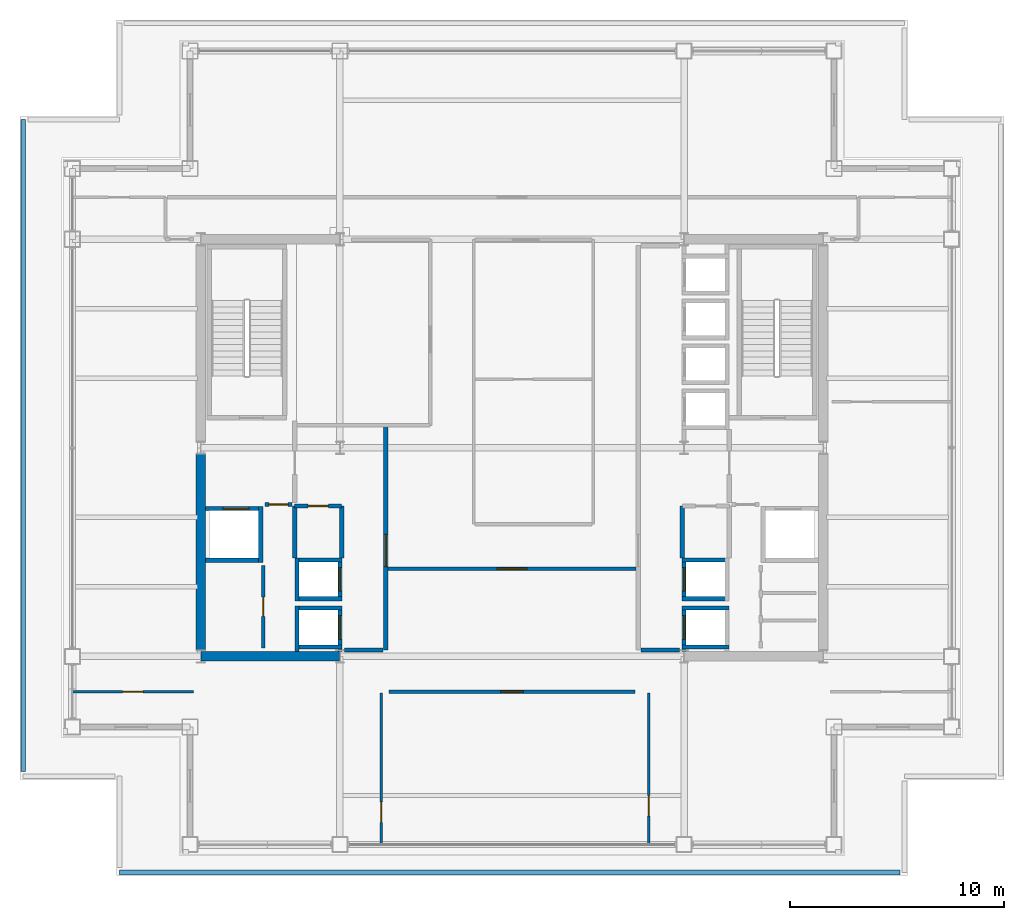
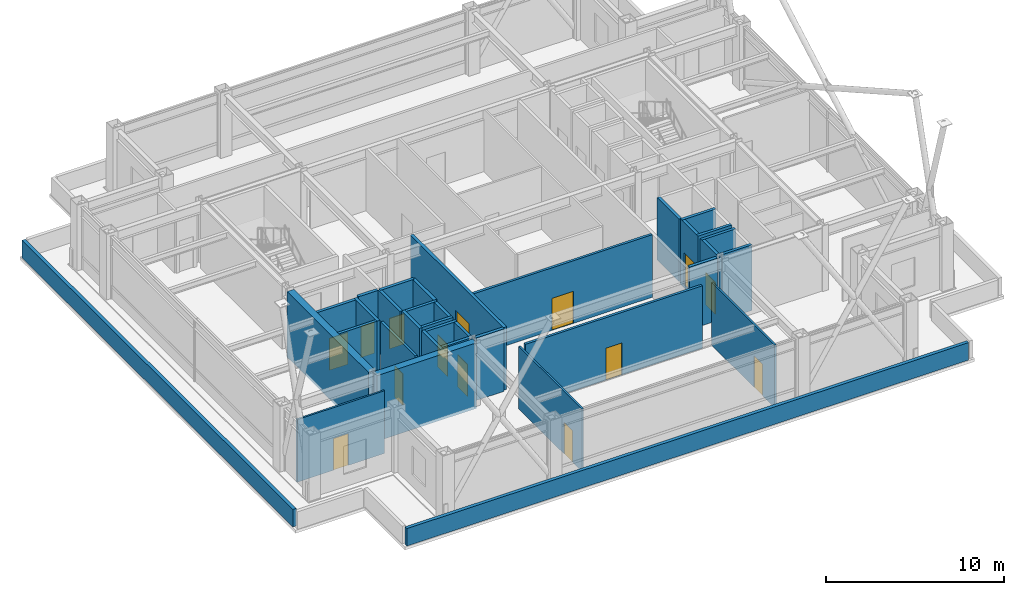
# One storey, part 20 of 24: 35 walls, 14 doors, 14 openings.
"""IFC4 building model written with IfcOpenShell, lengths in metres."""

import ifcopenshell
import ifcopenshell.guid

model = None  # the IFC model being written
_history = None  # IfcOwnerHistory: only IFC2X3 demands one
_inside = {}  # id of a spatial element -> (the spatial element, [elements in it])
_under = {}  # id of a project, library or spatial element -> (it, [spatial elements below it])
_declared = {}  # id of a project -> (the project, [libraries it declares])
_typed = {}  # id of a type object -> (the type object, [elements of that type])
_made_of = {}  # id of a material, layer set ... -> (it, [elements and type objects made of it])


def new_model(schema):
    """Start an empty IFC model of exactly this schema.

    Asked for "IFC4X3", IfcOpenShell would pick the latest addendum, in which some entities
    have other attributes; the version numbers below select the first issue.
    IFC2X3 requires an IfcOwnerHistory on every rooted entity: one is made here for all.
    """
    global model, _history
    if schema == "IFC4X3":
        model = ifcopenshell.file(schema_version=(4, 3, 0, 0))
    else:
        model = ifcopenshell.file(schema=schema)
    _inside.clear()
    _under.clear()
    _declared.clear()
    _typed.clear()
    _made_of.clear()
    _history = None
    if model.schema == "IFC2X3":
        org = make("IfcOrganization", Name="unknown")
        user = make(
            "IfcPersonAndOrganization",
            ThePerson=make("IfcPerson", FamilyName="unknown"),
            TheOrganization=org,
        )
        app = make(
            "IfcApplication",
            ApplicationDeveloper=org,
            Version="unknown",
            ApplicationFullName="unknown",
            ApplicationIdentifier="unknown",
        )
        _history = make(
            "IfcOwnerHistory",
            OwningUser=user,
            OwningApplication=app,
            ChangeAction="ADDED",
            CreationDate=0,
        )
    return model


def make(cls, **values):
    """One entity of the class cls with the attributes given. An attribute that is None is left unset."""
    return model.create_entity(
        cls, **{name: value for name, value in values.items() if value is not None}
    )


def rooted(cls, **values):
    """An entity with a GlobalId (a new one), such as an element, a storey or a relation."""
    return make(cls, GlobalId=ifcopenshell.guid.new(), OwnerHistory=_history, **values)


def si_unit(unit_type, name, prefix=None):
    """IfcSIUnit, for example si_unit("LENGTHUNIT", "METRE", prefix="MILLI")."""
    return make("IfcSIUnit", UnitType=unit_type, Prefix=prefix, Name=name)


def assignment(units):
    """IfcUnitAssignment: the units of a project."""
    return None if units is None else make("IfcUnitAssignment", Units=units)


def point(xyz):
    """IfcCartesianPoint."""
    return None if xyz is None else make("IfcCartesianPoint", Coordinates=xyz)


def direction(xyz):
    """IfcDirection."""
    return None if xyz is None else make("IfcDirection", DirectionRatios=xyz)


def frame(location, z_axis=None, x_axis=None):
    """IfcAxis2Placement3D, a coordinate frame: its origin and axes. An axis left out is left unset."""
    return make(
        "IfcAxis2Placement3D",
        Location=point(location),
        Axis=direction(z_axis),
        RefDirection=direction(x_axis),
    )


def frame_2d(location, x_axis=None):
    """IfcAxis2Placement2D, a coordinate frame in the plane: its origin and x axis."""
    return make(
        "IfcAxis2Placement2D", Location=point(location), RefDirection=direction(x_axis)
    )


def origin():
    """The frame at (0, 0, 0) with its axes left unset."""
    return frame((0.0, 0.0, 0.0))


def place(relative_to, where):
    """IfcLocalPlacement: puts the frame where relative to a parent placement (None: the world)."""
    return make(
        "IfcLocalPlacement", PlacementRelTo=relative_to, RelativePlacement=where
    )


def context(
    kind, dimensions, precision=None, world=None, true_north=None, identifier=None
):
    """IfcGeometricRepresentationContext, for example the 3D "Model" context."""
    return make(
        "IfcGeometricRepresentationContext",
        ContextIdentifier=identifier,
        ContextType=kind,
        CoordinateSpaceDimension=dimensions,
        Precision=precision,
        WorldCoordinateSystem=world,
        TrueNorth=true_north,
    )


def subcontext(parent, identifier, kind, view, scale=None):
    """IfcGeometricRepresentationSubContext, for example "Body" below "Model"."""
    return make(
        "IfcGeometricRepresentationSubContext",
        ContextIdentifier=identifier,
        ContextType=kind,
        ParentContext=parent,
        TargetScale=scale,
        TargetView=view,
    )


def project(units=None, contexts=None):
    """IfcProject with its units and contexts."""
    return rooted(
        "IfcProject",
        Name="project",
        RepresentationContexts=contexts,
        UnitsInContext=assignment(units),
    )


def spatial(cls, under=None, at=None, **own):
    """A site, building, storey or space (cls), placed at a placement, below another one or the project."""
    s = rooted(cls, ObjectPlacement=at, **own)
    if under is not None:
        _under.setdefault(under.id(), (under, []))[1].append(s)
    return s


def profile(cls, at=None, kind="AREA", **sizes):
    """A parametric profile (cls). Its sizes go by their IFC names, for example OverallWidth=200.0."""
    return make(cls, ProfileType=kind, Position=at, **sizes)


def rectangle(**sizes):
    """IfcRectangleProfileDef."""
    return profile("IfcRectangleProfileDef", **sizes)


def extrude(swept, where, along, depth):
    """IfcExtrudedAreaSolid: the profile swept, set in the frame where, extruded along a direction by depth."""
    return make(
        "IfcExtrudedAreaSolid",
        SweptArea=swept,
        Position=where,
        ExtrudedDirection=direction(along),
        Depth=depth,
    )


def shape(context_of_items, identifier, shape_type, items):
    """IfcShapeRepresentation: the items that make up one representation, for example the "Body"."""
    return make(
        "IfcShapeRepresentation",
        ContextOfItems=context_of_items,
        RepresentationIdentifier=identifier,
        RepresentationType=shape_type,
        Items=items,
    )


def material(Name=None, Category=None):
    """IfcMaterial."""
    return make("IfcMaterial", Name=Name, Category=Category)


def layer(
    of_material, thickness, ventilated=None, Name=None, Category=None, Priority=None
):
    """IfcMaterialLayer: one layer of a wall or slab, of a material (None: an air gap)."""
    return make(
        "IfcMaterialLayer",
        Material=of_material,
        LayerThickness=thickness,
        IsVentilated=ventilated,
        Name=Name,
        Category=Category,
        Priority=Priority,
    )


def layer_set(layers, Name=None):
    """IfcMaterialLayerSet."""
    return make("IfcMaterialLayerSet", MaterialLayers=layers, LayerSetName=Name)


def made_of(thing, what):
    """Note that an element or type object is made of a material, layer set ...; save() writes the relation."""
    if what is not None:
        _made_of.setdefault(what.id(), (what, []))[1].append(thing)
    return thing


def type_object(cls, material=None, **own):
    """A type object (cls), such as IfcWallType, which elements share."""
    return made_of(rooted(cls, **own), material)


def element(
    cls,
    number,
    at=None,
    inside=None,
    cuts=None,
    type_object=None,
    material=None,
    context=None,
    identifier="Body",
    shape_type=None,
    held_by="IfcProductDefinitionShape",
    body=None,
    shapes=None,
    **own,
):
    """One element of the class cls, such as IfcWall. Its Tag is "e" and its number.

    at: its placement. inside: the storey or other place that contains it. cuts: it is an
    opening in that element (IfcRelVoidsElement). A single representation is given by context,
    identifier, shape_type and body (its items); several are given by shapes. held_by: the class
    of the entity that holds the representations. save() writes the other relations.
    """
    e = rooted(cls, Tag="e%d" % number, ObjectPlacement=at, **own)
    if body is not None:
        shapes = [shape(context, identifier, shape_type, body)]
    if shapes is not None:
        e.Representation = make(held_by, Representations=shapes)
    if inside is not None:
        _inside.setdefault(inside.id(), (inside, []))[1].append(e)
    if cuts is not None:
        rooted(
            "IfcRelVoidsElement", RelatingBuildingElement=cuts, RelatedOpeningElement=e
        )
    if type_object is not None:
        _typed.setdefault(type_object.id(), (type_object, []))[1].append(e)
    return made_of(e, material)


def fill(opening, filler):
    """IfcRelFillsElement: the door or window that sits in an opening."""
    return rooted(
        "IfcRelFillsElement",
        RelatingOpeningElement=opening,
        RelatedBuildingElement=filler,
    )


def aggregate(whole, parts):
    """IfcRelAggregates: a whole, such as a stair, and the parts it consists of."""
    return rooted("IfcRelAggregates", RelatingObject=whole, RelatedObjects=parts)


def save(model, path):
    """Write the relations noted so far, then the file.

    IfcRelAggregates (storeys below a building ...), IfcRelContainedInSpatialStructure (elements
    in a storey), IfcRelDefinesByType, IfcRelAssociatesMaterial and IfcRelDeclares: one each for
    every whole, place, type object, material and project.
    """
    for whole, parts in _under.values():
        aggregate(whole, parts)
    for where, things in _inside.values():
        rooted(
            "IfcRelContainedInSpatialStructure",
            RelatedElements=things,
            RelatingStructure=where,
        )
    for kind, things in _typed.values():
        rooted("IfcRelDefinesByType", RelatedObjects=things, RelatingType=kind)
    for what, things in _made_of.values():
        rooted("IfcRelAssociatesMaterial", RelatedObjects=things, RelatingMaterial=what)
    for by, libraries in _declared.values():
        rooted("IfcRelDeclares", RelatingContext=by, RelatedDefinitions=libraries)
    model.write(path)


model = new_model("IFC4")

# Units and contexts
model_context = context("Model", 3, precision=1e-05, world=origin(), true_north=direction((0.0, 1.0)))
body_context = subcontext(model_context, "Body", "Model", "MODEL_VIEW")
ifc_project = project(units=[si_unit("LENGTHUNIT", "METRE"), si_unit("AREAUNIT", "SQUARE_METRE"), si_unit("VOLUMEUNIT", "CUBIC_METRE"), si_unit("PLANEANGLEUNIT", "RADIAN"), si_unit("MASSUNIT", "GRAM", prefix="KILO")], contexts=[model_context])

# Site, building, storey
site_placement = place(None, origin())
site = spatial("IfcSite", under=ifc_project, at=site_placement, CompositionType="ELEMENT")
building_placement = place(site_placement, origin())
building = spatial("IfcBuilding", under=site, at=building_placement, Name="Brelmoor Portico Tower", CompositionType="ELEMENT")
storey_placement = place(building_placement, frame((0.0, 0.0, 150.60009765625)))
storey = spatial("IfcBuildingStorey", under=building, at=storey_placement, Name="L39", CompositionType="ELEMENT", Elevation=150.60009765625)

# Walls
ifc_material_1 = material(Name="Concrete C50", Category="concrete")
ifc_layer_1 = layer(ifc_material_1, 0.449951171875)
ifc_layer_set_1 = layer_set([ifc_layer_1], Name="Concrete C50")
wall_type_1 = type_object("IfcWallType", Name="WL-CORE-450", PredefinedType="SHEAR", material=ifc_layer_set_1)
wall_1_placement = place(storey_placement, frame((-14.530029296875, -9.75, -0.2001953125), z_axis=(0.0, 0.0, 1.0), x_axis=(1.0, 0.0, 0.0)))
element("IfcWall", 1, at=wall_1_placement, inside=storey, type_object=wall_type_1, Name="L39 WC South Shear Wall", PredefinedType="SHEAR", context=body_context, shape_type="SweptSolid", body=[
    extrude(rectangle(XDim=6.4599609375, YDim=0.449951171875, at=frame_2d((3.22998046875, 0.0))), origin(), (0.0, 0.0, 1.0), 4.5),
])
wall_2_placement = place(storey_placement, frame((-14.550048828125, -9.449951171875, -0.2001953125), z_axis=(0.0, 0.0, 1.0), x_axis=(0.0, 1.0, 0.0)))
element("IfcWall", 2, at=wall_2_placement, inside=storey, type_object=wall_type_1, Name="L39 WC Outer South Shear Wall", PredefinedType="SHEAR", context=body_context, shape_type="SweptSolid", body=[
    extrude(rectangle(XDim=9.14990234375, YDim=0.449951171875, at=frame_2d((4.574951171875, 0.0))), origin(), (0.0, 0.0, 1.0), 4.5),
])
ifc_material_2 = material(Name="Concrete C40 Parapet Upstand", Category="concrete")
ifc_layer_2 = layer(ifc_material_2, 0.219970703125)
ifc_layer_set_2 = layer_set([ifc_layer_2], Name="Concrete C40 Parapet Upstand")
wall_type_2 = type_object("IfcWallType", Name="WL-PARAPET-220", PredefinedType="PARAPET", material=ifc_layer_set_2)
wall_3_placement = place(storey_placement, frame((-18.35009765625, -19.85009765625, 0.0), z_axis=(0.0, 0.0, 1.0), x_axis=(1.0, 0.0, 0.0)))
element("IfcWall", 3, at=wall_3_placement, inside=storey, type_object=wall_type_2, Name="L39 Roof Parapet Wall 01", PredefinedType="PARAPET", context=body_context, shape_type="SweptSolid", body=[
    extrude(rectangle(XDim=36.47998046875, YDim=0.219970703125, at=frame_2d((18.239990234375, 0.0))), origin(), (0.0, 0.0, 1.0), 1.199951171875),
])
wall_4_placement = place(storey_placement, frame((-22.85009765625, 15.35009765625, 0.0), z_axis=(0.0, 0.0, 1.0), x_axis=(0.0, -1.0, 0.0)))
element("IfcWall", 4, at=wall_4_placement, inside=storey, type_object=wall_type_2, Name="L39 Roof Parapet Wall 10", PredefinedType="PARAPET", context=body_context, shape_type="SweptSolid", body=[
    extrude(rectangle(XDim=30.47998046875, YDim=0.219970703125, at=frame_2d((15.239990234375, 0.0))), origin(), (0.0, 0.0, 1.0), 1.199951171875),
])

# Wall, opening, door
ifc_material_3 = material(Name="Lightweight Gypsum Office Partition", Category="gypsum")
ifc_layer_3 = layer(ifc_material_3, 0.1201171875)
ifc_layer_set_3 = layer_set([ifc_layer_3], Name="Lightweight Gypsum Office Partition")
wall_type_3 = type_object("IfcWallType", Name="WL-PART-120", PredefinedType="PARTITIONING", material=ifc_layer_set_3)
wall_5_placement = place(storey_placement, frame((-6.120361328125, -18.56005859375, 0.0), z_axis=(0.0, 0.0, 1.0), x_axis=(0.0, 1.0, 0.0)))
wall_5 = element("IfcWall", 5, at=wall_5_placement, inside=storey, type_object=wall_type_3, Name="L39 South Suite Partition 1", PredefinedType="PARTITIONING", context=body_context, shape_type="SweptSolid", body=[
    extrude(rectangle(XDim=7.10009765625, YDim=0.1201171875, at=frame_2d((3.550048828125, 0.0))), origin(), (0.0, 0.0, 1.0), 4.2998046875),
])
opening_1_placement = place(wall_5_placement, frame((1.050048828125, 0.0, 0.0)))
opening_1 = element("IfcOpeningElement", 6, at=opening_1_placement, cuts=wall_5, Name="Opening D-IN2", PredefinedType="OPENING", context=body_context, shape_type="SweptSolid", body=[
    extrude(rectangle(XDim=0.9599609375, YDim=2.179931640625, at=frame_2d((0.47998046875, 1.08984375))), frame((0.0, 0.070068359375, 0.0), z_axis=(0.0, -1.0, 0.0), x_axis=(1.0, 0.0, 0.0)), (0.0, 0.0, 1.0), 0.14013671875),
])
ifc_material_4 = material(Name="Lacquered Timber Suite Door", Category="wood")
door_type_1 = type_object("IfcDoorType", Name="DR-INT-950", OperationType="NOTDEFINED", PredefinedType="DOOR", material=ifc_material_4)
door_1_placement = place(opening_1_placement, origin())
door_1 = element("IfcDoor", 7, at=door_1_placement, inside=storey, type_object=door_type_1, Name="D-1689 L39 South Suite Connecting Door 1", OperationType="SINGLE_SWING_LEFT", OverallHeight=2.179931640625, OverallWidth=0.9599609375, PredefinedType="DOOR", context=body_context, shape_type="SweptSolid", body=[
    extrude(rectangle(XDim=0.9599609375, YDim=2.179931640625, at=frame_2d((0.47998046875, 1.08984375))), frame((0.0, 0.02490234375, 0.0), z_axis=(0.0, -1.0, 0.0), x_axis=(1.0, 0.0, 0.0)), (0.0, 0.0, 1.0), 0.050048828125),
])
fill(opening_1, door_1)

wall_6_placement = place(storey_placement, frame((6.398681640625, -18.56005859375, 0.0), z_axis=(0.0, 0.0, 1.0), x_axis=(0.0, 1.0, 0.0)))
wall_6 = element("IfcWall", 8, at=wall_6_placement, inside=storey, type_object=wall_type_3, Name="L39 South Suite Partition 2", PredefinedType="PARTITIONING", context=body_context, shape_type="SweptSolid", body=[
    extrude(rectangle(XDim=7.10009765625, YDim=0.1201171875, at=frame_2d((3.550048828125, 0.0))), origin(), (0.0, 0.0, 1.0), 4.2998046875),
])
opening_2_placement = place(wall_6_placement, frame((1.340087890625, 0.0, 0.0)))
opening_2 = element("IfcOpeningElement", 9, at=opening_2_placement, cuts=wall_6, Name="Opening D-IN2", PredefinedType="OPENING", context=body_context, shape_type="SweptSolid", body=[
    extrude(rectangle(XDim=0.9599609375, YDim=2.179931640625, at=frame_2d((0.47998046875, 1.08984375))), frame((0.0, 0.070068359375, 0.0), z_axis=(0.0, -1.0, 0.0), x_axis=(1.0, 0.0, 0.0)), (0.0, 0.0, 1.0), 0.14013671875),
])
door_2_placement = place(opening_2_placement, origin())
door_2 = element("IfcDoor", 10, at=door_2_placement, inside=storey, type_object=door_type_1, Name="D-1690 L39 South Suite Connecting Door 2", OperationType="SINGLE_SWING_RIGHT", OverallHeight=2.179931640625, OverallWidth=0.9599609375, PredefinedType="DOOR", context=body_context, shape_type="SweptSolid", body=[
    extrude(rectangle(XDim=0.9599609375, YDim=2.179931640625, at=frame_2d((0.47998046875, 1.08984375))), frame((0.0, 0.02490234375, 0.0), z_axis=(0.0, -1.0, 0.0), x_axis=(1.0, 0.0, 0.0)), (0.0, 0.0, 1.0), 0.050048828125),
])
fill(opening_2, door_2)

wall_7_placement = place(storey_placement, frame((-20.56005859375, -11.39990234375, 0.0), z_axis=(0.0, 0.0, 1.0), x_axis=(1.0, 0.0, 0.0)))
wall_7 = element("IfcWall", 11, at=wall_7_placement, inside=storey, type_object=wall_type_3, Name="L39 South Wing Closure WL", PredefinedType="PARTITIONING", context=body_context, shape_type="SweptSolid", body=[
    extrude(rectangle(XDim=5.68017578125, YDim=0.1201171875, at=frame_2d((2.840087890625, 0.0))), origin(), (0.0, 0.0, 1.0), 4.2998046875),
])
opening_3_placement = place(wall_7_placement, frame((2.360107421875, 0.0, 0.0)))
opening_3 = element("IfcOpeningElement", 12, at=opening_3_placement, cuts=wall_7, Name="Opening D-IN2", PredefinedType="OPENING", context=body_context, shape_type="SweptSolid", body=[
    extrude(rectangle(XDim=0.9599609375, YDim=2.179931640625, at=frame_2d((0.47998046875, 1.08984375))), frame((0.0, 0.070068359375, 0.0), z_axis=(0.0, -1.0, 0.0), x_axis=(1.0, 0.0, 0.0)), (0.0, 0.0, 1.0), 0.14013671875),
])
door_3_placement = place(opening_3_placement, origin())
door_3 = element("IfcDoor", 13, at=door_3_placement, inside=storey, type_object=door_type_1, Name="D-1694 L39 WL Wing South Suite Door", OperationType="SINGLE_SWING_RIGHT", OverallHeight=2.179931640625, OverallWidth=0.9599609375, PredefinedType="DOOR", context=body_context, shape_type="SweptSolid", body=[
    extrude(rectangle(XDim=0.9599609375, YDim=2.179931640625, at=frame_2d((0.47998046875, 1.08984375))), frame((0.0, 0.02490234375, 0.0), z_axis=(0.0, -1.0, 0.0), x_axis=(1.0, 0.0, 0.0)), (0.0, 0.0, 1.0), 0.050048828125),
])
fill(opening_3, door_3)

ifc_material_5 = material(Name="Twin-Frame Acoustic Partition", Category="gypsum")
ifc_layer_4 = layer(ifc_material_5, 0.159912109375)
ifc_layer_set_4 = layer_set([ifc_layer_4], Name="Twin-Frame Acoustic Partition")
wall_type_4 = type_object("IfcWallType", Name="WL-PART-160", PredefinedType="PARTITIONING", material=ifc_layer_set_4)
wall_8_placement = place(storey_placement, frame((-11.6201171875, -9.35009765625, 0.0), z_axis=(0.0, 0.0, 1.0), x_axis=(0.0, 1.0, 0.0)))
wall_8 = element("IfcWall", 14, at=wall_8_placement, inside=storey, type_object=wall_type_4, Name="L39 W Core Service Front Wall", PredefinedType="PARTITIONING", context=body_context, shape_type="SweptSolid", body=[
    extrude(rectangle(XDim=3.85009765625, YDim=0.159912109375, at=frame_2d((1.925048828125, 0.0))), origin(), (0.0, 0.0, 1.0), 4.2998046875),
])
opening_4_placement = place(wall_8_placement, frame((1.47509765625, 0.0, 0.0)))
opening_4 = element("IfcOpeningElement", 15, at=opening_4_placement, cuts=wall_8, Name="Opening D-IN1", PredefinedType="OPENING", context=body_context, shape_type="SweptSolid", body=[
    extrude(rectangle(XDim=0.89990234375, YDim=2.14990234375, at=frame_2d((0.449951171875, 1.074951171875))), frame((0.0, 0.08984375, 0.0), z_axis=(0.0, -1.0, 0.0), x_axis=(1.0, 0.0, 0.0)), (0.0, 0.0, 1.0), 0.179931640625),
])
door_type_2 = type_object("IfcDoorType", Name="DR-INT-900", OperationType="NOTDEFINED", PredefinedType="DOOR", material=ifc_material_4)
door_4_placement = place(opening_4_placement, origin())
door_4 = element("IfcDoor", 16, at=door_4_placement, inside=storey, type_object=door_type_2, Name="D-1677 L39 W Accessible WC Door", OperationType="SINGLE_SWING_LEFT", OverallHeight=2.14990234375, OverallWidth=0.89990234375, PredefinedType="DOOR", context=body_context, shape_type="SweptSolid", body=[
    extrude(rectangle(XDim=0.89990234375, YDim=2.14990234375, at=frame_2d((0.449951171875, 1.074951171875))), frame((0.0, 0.02490234375, 0.0), z_axis=(0.0, -1.0, 0.0), x_axis=(1.0, 0.0, 0.0)), (0.0, 0.0, 1.0), 0.050048828125),
])
fill(opening_4, door_4)

wall_9_placement = place(storey_placement, frame((-5.800048828125, -5.64990234375, 0.0), z_axis=(0.0, 0.0, 1.0), x_axis=(1.0, 0.0, 0.0)))
wall_9 = element("IfcWall", 17, at=wall_9_placement, inside=storey, type_object=wall_type_4, Name="L39 South Hub Corridor Wall", PredefinedType="PARTITIONING", context=body_context, shape_type="SweptSolid", body=[
    extrude(rectangle(XDim=11.60009765625, YDim=0.159912109375, at=frame_2d((5.800048828125, 0.0))), origin(), (0.0, 0.0, 1.0), 4.2998046875),
])
opening_5_placement = place(wall_9_placement, frame((5.10009765625, 0.0, 0.0)))
opening_5 = element("IfcOpeningElement", 18, at=opening_5_placement, cuts=wall_9, Name="Opening D-SU2", PredefinedType="OPENING", context=body_context, shape_type="SweptSolid", body=[
    extrude(rectangle(XDim=1.39990234375, YDim=2.199951171875, at=frame_2d((0.699951171875, 1.10009765625))), frame((0.0, 0.08984375, 0.0), z_axis=(0.0, -1.0, 0.0), x_axis=(1.0, 0.0, 0.0)), (0.0, 0.0, 1.0), 0.179931640625),
])
ifc_material_6 = material(Name="Double-Leaf Acoustic Suite Door", Category="timber")
door_type_3 = type_object("IfcDoorType", Name="DR-SUITE-1400", OperationType="NOTDEFINED", PredefinedType="DOOR", material=ifc_material_6)
door_5_placement = place(opening_5_placement, origin())
door_5 = element("IfcDoor", 19, at=door_5_placement, inside=storey, type_object=door_type_3, Name="D-1669 L39 South Reception Hub Door", OperationType="DOUBLE_DOOR_SINGLE_SWING", OverallHeight=2.199951171875, OverallWidth=1.39990234375, PredefinedType="DOOR", context=body_context, shape_type="SweptSolid", body=[
    extrude(rectangle(XDim=1.39990234375, YDim=2.199951171875, at=frame_2d((0.699951171875, 1.10009765625))), frame((0.0, 0.02490234375, 0.0), z_axis=(0.0, -1.0, 0.0), x_axis=(1.0, 0.0, 0.0)), (0.0, 0.0, 1.0), 0.050048828125),
])
fill(opening_5, door_5)

wall_10_placement = place(storey_placement, frame((-5.75, -11.39990234375, 0.0), z_axis=(0.0, 0.0, 1.0), x_axis=(1.0, 0.0, 0.0)))
wall_10 = element("IfcWall", 20, at=wall_10_placement, inside=storey, type_object=wall_type_4, Name="L39 South Corridor Partition", PredefinedType="PARTITIONING", context=body_context, shape_type="SweptSolid", body=[
    extrude(rectangle(XDim=11.5, YDim=0.159912109375, at=frame_2d((5.75, 0.0))), origin(), (0.0, 0.0, 1.0), 4.2998046875),
])
opening_6_placement = place(wall_10_placement, frame((5.219970703125, 0.0, 0.0)))
opening_6 = element("IfcOpeningElement", 21, at=opening_6_placement, cuts=wall_10, Name="Opening D-OF2", PredefinedType="OPENING", context=body_context, shape_type="SweptSolid", body=[
    extrude(rectangle(XDim=1.06005859375, YDim=2.199951171875, at=frame_2d((0.530029296875, 1.10009765625))), frame((0.0, 0.08984375, 0.0), z_axis=(0.0, -1.0, 0.0), x_axis=(1.0, 0.0, 0.0)), (0.0, 0.0, 1.0), 0.179931640625),
])
ifc_material_7 = material(Name="Hardwood Acoustic Veneer Door", Category="wood")
door_type_4 = type_object("IfcDoorType", Name="DR-OFFICE-1050", OperationType="NOTDEFINED", PredefinedType="DOOR", material=ifc_material_7)
door_6_placement = place(opening_6_placement, origin())
door_6 = element("IfcDoor", 22, at=door_6_placement, inside=storey, type_object=door_type_4, Name="D-1688 L39 South Quiet Study Lounge 2 Door", OperationType="SINGLE_SWING_LEFT", OverallHeight=2.199951171875, OverallWidth=1.06005859375, PredefinedType="DOOR", context=body_context, shape_type="SweptSolid", body=[
    extrude(rectangle(XDim=1.06005859375, YDim=2.199951171875, at=frame_2d((0.530029296875, 1.10009765625))), frame((0.0, 0.02490234375, 0.0), z_axis=(0.0, -1.0, 0.0), x_axis=(1.0, 0.0, 0.0)), (0.0, 0.0, 1.0), 0.050048828125),
])
fill(opening_6, door_6)

ifc_material_8 = material(Name="Double-Stud Gypsum Fire Partition", Category="gypsum")
ifc_layer_5 = layer(ifc_material_8, 0.199951171875)
ifc_layer_set_5 = layer_set([ifc_layer_5], Name="Double-Stud Gypsum Fire Partition")
wall_type_5 = type_object("IfcWallType", Name="WL-PART-200", PredefinedType="PARTITIONING", material=ifc_layer_set_5)
wall_11_placement = place(storey_placement, frame((-5.89990234375, -9.449951171875, 0.0), z_axis=(0.0, 0.0, 1.0), x_axis=(0.0, 1.0, 0.0)))
wall_11 = element("IfcWall", 23, at=wall_11_placement, inside=storey, type_object=wall_type_5, Name="L39 W Core Lobby Compartment Wall", PredefinedType="PARTITIONING", context=body_context, shape_type="SweptSolid", body=[
    extrude(rectangle(XDim=10.5, YDim=0.199951171875, at=frame_2d((5.25, 0.0))), origin(), (0.0, 0.0, 1.0), 4.2998046875),
])
opening_7_placement = place(wall_11_placement, frame((3.89990234375, 0.0, 0.0)))
opening_7 = element("IfcOpeningElement", 24, at=opening_7_placement, cuts=wall_11, Name="Opening D-LB1", PredefinedType="OPENING", context=body_context, shape_type="SweptSolid", body=[
    extrude(rectangle(XDim=1.5, YDim=2.199951171875, at=frame_2d((0.75, 1.10009765625))), frame((0.0, 0.10986328125, 0.0), z_axis=(0.0, -1.0, 0.0), x_axis=(1.0, 0.0, 0.0)), (0.0, 0.0, 1.0), 0.219970703125),
])
ifc_material_9 = material(Name="Double-Leaf Glazed Steel Fire Door", Category="steel")
door_type_5 = type_object("IfcDoorType", Name="DR-LOBBY-1500", OperationType="NOTDEFINED", PredefinedType="DOOR", material=ifc_material_9)
door_7_placement = place(opening_7_placement, origin())
door_7 = element("IfcDoor", 25, at=door_7_placement, inside=storey, type_object=door_type_5, Name="D-1683 L39 W Lift Lobby Main Door", OperationType="DOUBLE_DOOR_SINGLE_SWING", OverallHeight=2.199951171875, OverallWidth=1.5, PredefinedType="DOOR", context=body_context, shape_type="SweptSolid", body=[
    extrude(rectangle(XDim=1.5, YDim=2.199951171875, at=frame_2d((0.75, 1.10009765625))), frame((0.0, 0.02490234375, 0.0), z_axis=(0.0, -1.0, 0.0), x_axis=(1.0, 0.0, 0.0)), (0.0, 0.0, 1.0), 0.050048828125),
])
fill(opening_7, door_7)

# Wall
wall_12_placement = place(storey_placement, frame((-6.02001953125, -9.449951171875, 0.0), z_axis=(0.0, 0.0, 1.0), x_axis=(-1.0, 0.0, 0.0)))
element("IfcWall", 26, at=wall_12_placement, inside=storey, type_object=wall_type_5, Name="L39 W Lift Lobby South End Wall", PredefinedType="PARTITIONING", context=body_context, shape_type="SweptSolid", body=[
    extrude(rectangle(XDim=1.800048828125, YDim=0.199951171875, at=frame_2d((0.89990234375, 0.0))), origin(), (0.0, 0.0, 1.0), 4.2998046875),
])

# Wall, opening, door
wall_13_placement = place(storey_placement, frame((-10.280029296875, -2.64990234375, 0.0), z_axis=(0.0, 0.0, 1.0), x_axis=(-1.0, 0.0, 0.0)))
wall_13 = element("IfcWall", 27, at=wall_13_placement, inside=storey, type_object=wall_type_5, Name="L39 W Firefighting Lobby South Wall", PredefinedType="PARTITIONING", context=body_context, shape_type="SweptSolid", body=[
    extrude(rectangle(XDim=1.27001953125, YDim=0.199951171875, at=frame_2d((0.635009765625, 0.0))), origin(), (0.0, 0.0, 1.0), 4.2998046875),
])
opening_8_placement = place(wall_13_placement, frame((0.18505859375, 0.0, 0.0)))
opening_8 = element("IfcOpeningElement", 28, at=opening_8_placement, cuts=wall_13, Name="Opening D-IN1", PredefinedType="OPENING", context=body_context, shape_type="SweptSolid", body=[
    extrude(rectangle(XDim=0.89990234375, YDim=2.14990234375, at=frame_2d((0.449951171875, 1.074951171875))), frame((0.0, 0.10986328125, 0.0), z_axis=(0.0, -1.0, 0.0), x_axis=(1.0, 0.0, 0.0)), (0.0, 0.0, 1.0), 0.219970703125),
])
door_8_placement = place(opening_8_placement, origin())
door_8 = element("IfcDoor", 29, at=door_8_placement, inside=storey, type_object=door_type_2, Name="D-1676 L39 W Core Service Vestibule Door", OperationType="SINGLE_SWING_LEFT", OverallHeight=2.14990234375, OverallWidth=0.89990234375, PredefinedType="DOOR", context=body_context, shape_type="SweptSolid", body=[
    extrude(rectangle(XDim=0.89990234375, YDim=2.14990234375, at=frame_2d((0.449951171875, 1.074951171875))), frame((0.0, 0.02490234375, 0.0), z_axis=(0.0, -1.0, 0.0), x_axis=(1.0, 0.0, 0.0)), (0.0, 0.0, 1.0), 0.050048828125),
])
fill(opening_8, door_8)

wall_14_placement = place(storey_placement, frame((-7.9599609375, -2.719970703125, 0.0), z_axis=(0.0, 0.0, 1.0), x_axis=(-1.0, 0.0, 0.0)))
wall_14 = element("IfcWall", 30, at=wall_14_placement, inside=storey, type_object=wall_type_5, Name="L39 W Electrical Switchgear Closet Wall", PredefinedType="PARTITIONING", context=body_context, shape_type="SweptSolid", body=[
    extrude(rectangle(XDim=2.199951171875, YDim=0.199951171875, at=frame_2d((1.10009765625, 0.0))), origin(), (0.0, 0.0, 1.0), 4.2998046875),
])
opening_9_placement = place(wall_14_placement, frame((0.6201171875, 0.0, 0.0)))
opening_9 = element("IfcOpeningElement", 31, at=opening_9_placement, cuts=wall_14, Name="Opening D-FR4", PredefinedType="OPENING", context=body_context, shape_type="SweptSolid", body=[
    extrude(rectangle(XDim=0.949951171875, YDim=2.10009765625, at=frame_2d((0.47509765625, 1.050048828125))), frame((0.0, 0.10986328125, 0.0), z_axis=(0.0, -1.0, 0.0), x_axis=(1.0, 0.0, 0.0)), (0.0, 0.0, 1.0), 0.219970703125),
])
ifc_material_10 = material(Name="Painted Galvanised Steel Riser Door", Category="steel")
door_type_6 = type_object("IfcDoorType", Name="DR-FIRE-950", OperationType="NOTDEFINED", PredefinedType="DOOR", material=ifc_material_10)
door_9_placement = place(opening_9_placement, origin())
door_9 = element("IfcDoor", 32, at=door_9_placement, inside=storey, type_object=door_type_6, Name="D-1679 L39 W Electrical Switchgear Closet Door", OperationType="SINGLE_SWING_RIGHT", OverallHeight=2.10009765625, OverallWidth=0.949951171875, PredefinedType="DOOR", context=body_context, shape_type="SweptSolid", body=[
    extrude(rectangle(XDim=0.949951171875, YDim=2.10009765625, at=frame_2d((0.47509765625, 1.050048828125))), frame((0.0, 0.02490234375, 0.0), z_axis=(0.0, -1.0, 0.0), x_axis=(1.0, 0.0, 0.0)), (0.0, 0.0, 1.0), 0.050048828125),
])
fill(opening_9, door_9)

# Walls
for number, where, z_axis, x_axis, name in (
    (33, (-7.9599609375, -5.159912109375, 0.0), (0.0, 0.0, 1.0), (0.0, 1.0, 0.0), "L39 W Electrical Switchgear Closet Inner Wall"),
    (34, (-10.159912109375, -5.159912109375, 0.0), (0.0, 0.0, 1.0), (0.0, 1.0, 0.0), "L39 W Electrical Switchgear Closet Outer Wall"),
):
    element("IfcWall", number, at=place(storey_placement, frame(where, z_axis=z_axis, x_axis=x_axis)), inside=storey, type_object=wall_type_5, Name=name, PredefinedType="PARTITIONING", context=body_context, shape_type="SweptSolid", body=[
        extrude(rectangle(XDim=2.43994140625, YDim=0.199951171875, at=frame_2d((1.219970703125, 0.0))), origin(), (0.0, 0.0, 1.0), 4.2998046875),
    ])
wall_15_placement = place(storey_placement, frame((6.02001953125, -9.449951171875, 0.0), z_axis=(0.0, 0.0, 1.0), x_axis=(1.0, 0.0, 0.0)))
element("IfcWall", 35, at=wall_15_placement, inside=storey, type_object=wall_type_5, Name="L39 E Lift Lobby South End Wall", PredefinedType="PARTITIONING", context=body_context, shape_type="SweptSolid", body=[
    extrude(rectangle(XDim=1.800048828125, YDim=0.199951171875, at=frame_2d((0.89990234375, 0.0))), origin(), (0.0, 0.0, 1.0), 4.2998046875),
])
wall_16_placement = place(storey_placement, frame((7.9599609375, -5.159912109375, 0.0), z_axis=(0.0, 0.0, 1.0), x_axis=(0.0, 1.0, 0.0)))
element("IfcWall", 36, at=wall_16_placement, inside=storey, type_object=wall_type_5, Name="L39 E Electrical Switchgear Closet Inner Wall", PredefinedType="PARTITIONING", context=body_context, shape_type="SweptSolid", body=[
    extrude(rectangle(XDim=2.43994140625, YDim=0.199951171875, at=frame_2d((1.219970703125, 0.0))), origin(), (0.0, 0.0, 1.0), 4.2998046875),
])

# Wall, opening, door
ifc_material_11 = material(Name="Precast Concrete C40", Category="concrete")
ifc_layer_6 = layer(ifc_material_11, 0.18994140625)
ifc_layer_set_6 = layer_set([ifc_layer_6], Name="Precast Concrete C40")
wall_type_6 = type_object("IfcWallType", Name="WL-SHAFT-180", PredefinedType="SOLIDWALL", material=ifc_layer_set_6)
wall_17_placement = place(storey_placement, frame((-8.044921875, -9.52001953125, -0.2001953125), z_axis=(0.0, 0.0, 1.0), x_axis=(0.0, 1.0, 0.0)))
wall_17 = element("IfcWall", 37, at=wall_17_placement, inside=storey, type_object=wall_type_6, Name="L39 Lift PH1 Hoistway Front Wall", PredefinedType="SOLIDWALL", context=body_context, shape_type="SweptSolid", body=[
    extrude(rectangle(XDim=2.1201171875, YDim=0.18994140625, at=frame_2d((1.06005859375, 0.0))), origin(), (0.0, 0.0, 1.0), 4.5),
])
opening_10_placement = place(wall_17_placement, frame((0.570068359375, 0.0, 0.199951171875)))
opening_10 = element("IfcOpeningElement", 38, at=opening_10_placement, cuts=wall_17, Name="Opening LD-01", PredefinedType="OPENING", context=body_context, shape_type="SweptSolid", body=[
    extrude(rectangle(XDim=1.10009765625, YDim=2.199951171875, at=frame_2d((0.550048828125, 1.10009765625))), frame((0.0, 0.10498046875, 0.0), z_axis=(0.0, -1.0, 0.0), x_axis=(1.0, 0.0, 0.0)), (0.0, 0.0, 1.0), 0.2099609375),
])
ifc_material_12 = material(Name="Brushed Stainless Steel Sliding Lift Door", Category="steel")
door_type_7 = type_object("IfcDoorType", Name="DR-LIFT-1100", OperationType="NOTDEFINED", PredefinedType="DOOR", material=ifc_material_12)
door_10_placement = place(opening_10_placement, origin())
door_10 = element("IfcDoor", 39, at=door_10_placement, inside=storey, type_object=door_type_7, Name="D-1700 L39 Lift PH1 Sliding Landing Door", OperationType="SLIDING_TO_LEFT", OverallHeight=2.199951171875, OverallWidth=1.10009765625, PredefinedType="DOOR", context=body_context, shape_type="SweptSolid", body=[
    extrude(rectangle(XDim=1.10009765625, YDim=2.199951171875, at=frame_2d((0.550048828125, 1.10009765625))), frame((0.0, 0.02490234375, 0.0), z_axis=(0.0, -1.0, 0.0), x_axis=(1.0, 0.0, 0.0)), (0.0, 0.0, 1.0), 0.050048828125),
])
fill(opening_10, door_10)

# Walls
wall_18_placement = place(storey_placement, frame((-10.054931640625, -9.52001953125, -0.2001953125), z_axis=(0.0, 0.0, 1.0), x_axis=(0.0, 1.0, 0.0)))
element("IfcWall", 40, at=wall_18_placement, inside=storey, type_object=wall_type_6, Name="L39 Lift PH1 Hoistway Back Wall", PredefinedType="SOLIDWALL", context=body_context, shape_type="SweptSolid", body=[
    extrude(rectangle(XDim=2.1201171875, YDim=0.18994140625, at=frame_2d((1.06005859375, 0.0))), origin(), (0.0, 0.0, 1.0), 4.5),
])
for number, where, z_axis, x_axis, name in (
    (41, (-10.14990234375, -7.4951171875, -0.2001953125), (0.0, 0.0, 1.0), (1.0, 0.0, 0.0), "L39 Lift PH1 Hoistway North Wall"),
    (42, (-10.14990234375, -9.304931640625, -0.2001953125), (0.0, 0.0, 1.0), (1.0, 0.0, 0.0), "L39 Lift PH1 Hoistway South Wall"),
):
    element("IfcWall", number, at=place(storey_placement, frame(where, z_axis=z_axis, x_axis=x_axis)), inside=storey, type_object=wall_type_6, Name=name, PredefinedType="SOLIDWALL", context=body_context, shape_type="SweptSolid", body=[
        extrude(rectangle(XDim=2.199951171875, YDim=0.18994140625, at=frame_2d((1.10009765625, 0.0))), origin(), (0.0, 0.0, 1.0), 4.5),
    ])

# Wall, opening, door
wall_19_placement = place(storey_placement, frame((-8.044921875, -7.14990234375, -0.2001953125), z_axis=(0.0, 0.0, 1.0), x_axis=(0.0, 1.0, 0.0)))
wall_19 = element("IfcWall", 43, at=wall_19_placement, inside=storey, type_object=wall_type_6, Name="L39 Lift PH2 Hoistway Front Wall", PredefinedType="SOLIDWALL", context=body_context, shape_type="SweptSolid", body=[
    extrude(rectangle(XDim=2.0, YDim=0.18994140625, at=frame_2d((1.0, 0.0))), origin(), (0.0, 0.0, 1.0), 4.5),
])
opening_11_placement = place(wall_19_placement, frame((0.449951171875, 0.0, 0.199951171875)))
opening_11 = element("IfcOpeningElement", 44, at=opening_11_placement, cuts=wall_19, Name="Opening LD-01", PredefinedType="OPENING", context=body_context, shape_type="SweptSolid", body=[
    extrude(rectangle(XDim=1.10009765625, YDim=2.199951171875, at=frame_2d((0.550048828125, 1.10009765625))), frame((0.0, 0.10498046875, 0.0), z_axis=(0.0, -1.0, 0.0), x_axis=(1.0, 0.0, 0.0)), (0.0, 0.0, 1.0), 0.2099609375),
])
door_11_placement = place(opening_11_placement, origin())
door_11 = element("IfcDoor", 45, at=door_11_placement, inside=storey, type_object=door_type_7, Name="D-1701 L39 Lift PH2 Sliding Landing Door", OperationType="SLIDING_TO_LEFT", OverallHeight=2.199951171875, OverallWidth=1.10009765625, PredefinedType="DOOR", context=body_context, shape_type="SweptSolid", body=[
    extrude(rectangle(XDim=1.10009765625, YDim=2.199951171875, at=frame_2d((0.550048828125, 1.10009765625))), frame((0.0, 0.02490234375, 0.0), z_axis=(0.0, -1.0, 0.0), x_axis=(1.0, 0.0, 0.0)), (0.0, 0.0, 1.0), 0.050048828125),
])
fill(opening_11, door_11)

# Walls
wall_20_placement = place(storey_placement, frame((-10.054931640625, -7.14990234375, -0.2001953125), z_axis=(0.0, 0.0, 1.0), x_axis=(0.0, 1.0, 0.0)))
element("IfcWall", 46, at=wall_20_placement, inside=storey, type_object=wall_type_6, Name="L39 Lift PH2 Hoistway Back Wall", PredefinedType="SOLIDWALL", context=body_context, shape_type="SweptSolid", body=[
    extrude(rectangle(XDim=2.0, YDim=0.18994140625, at=frame_2d((1.0, 0.0))), origin(), (0.0, 0.0, 1.0), 4.5),
])
for number, where, z_axis, x_axis, name in (
    (47, (-10.14990234375, -5.2451171875, -0.2001953125), (0.0, 0.0, 1.0), (1.0, 0.0, 0.0), "L39 Lift PH2 Hoistway North Wall"),
    (48, (-10.14990234375, -7.054931640625, -0.2001953125), (0.0, 0.0, 1.0), (1.0, 0.0, 0.0), "L39 Lift PH2 Hoistway South Wall"),
):
    element("IfcWall", number, at=place(storey_placement, frame(where, z_axis=z_axis, x_axis=x_axis)), inside=storey, type_object=wall_type_6, Name=name, PredefinedType="SOLIDWALL", context=body_context, shape_type="SweptSolid", body=[
        extrude(rectangle(XDim=2.199951171875, YDim=0.18994140625, at=frame_2d((1.10009765625, 0.0))), origin(), (0.0, 0.0, 1.0), 4.5),
    ])

# Wall, opening, door
wall_21_placement = place(storey_placement, frame((8.044921875, -9.52001953125, -0.2001953125), z_axis=(0.0, 0.0, 1.0), x_axis=(0.0, 1.0, 0.0)))
wall_21 = element("IfcWall", 49, at=wall_21_placement, inside=storey, type_object=wall_type_6, Name="L39 Lift PH3 Hoistway Front Wall", PredefinedType="SOLIDWALL", context=body_context, shape_type="SweptSolid", body=[
    extrude(rectangle(XDim=2.1201171875, YDim=0.18994140625, at=frame_2d((1.06005859375, 0.0))), origin(), (0.0, 0.0, 1.0), 4.5),
])
opening_12_placement = place(wall_21_placement, frame((0.570068359375, 0.0, 0.199951171875)))
opening_12 = element("IfcOpeningElement", 50, at=opening_12_placement, cuts=wall_21, Name="Opening LD-01", PredefinedType="OPENING", context=body_context, shape_type="SweptSolid", body=[
    extrude(rectangle(XDim=1.10009765625, YDim=2.199951171875, at=frame_2d((0.550048828125, 1.10009765625))), frame((0.0, 0.10498046875, 0.0), z_axis=(0.0, -1.0, 0.0), x_axis=(1.0, 0.0, 0.0)), (0.0, 0.0, 1.0), 0.2099609375),
])
door_12_placement = place(opening_12_placement, origin())
door_12 = element("IfcDoor", 51, at=door_12_placement, inside=storey, type_object=door_type_7, Name="D-1702 L39 Lift PH3 Sliding Landing Door", OperationType="SLIDING_TO_LEFT", OverallHeight=2.199951171875, OverallWidth=1.10009765625, PredefinedType="DOOR", context=body_context, shape_type="SweptSolid", body=[
    extrude(rectangle(XDim=1.10009765625, YDim=2.199951171875, at=frame_2d((0.550048828125, 1.10009765625))), frame((0.0, 0.02490234375, 0.0), z_axis=(0.0, -1.0, 0.0), x_axis=(1.0, 0.0, 0.0)), (0.0, 0.0, 1.0), 0.050048828125),
])
fill(opening_12, door_12)

# Walls
for number, where, z_axis, x_axis, name in (
    (52, (7.949951171875, -7.4951171875, -0.2001953125), (0.0, 0.0, 1.0), (1.0, 0.0, 0.0), "L39 Lift PH3 Hoistway North Wall"),
    (53, (7.949951171875, -9.304931640625, -0.2001953125), (0.0, 0.0, 1.0), (1.0, 0.0, 0.0), "L39 Lift PH3 Hoistway South Wall"),
):
    element("IfcWall", number, at=place(storey_placement, frame(where, z_axis=z_axis, x_axis=x_axis)), inside=storey, type_object=wall_type_6, Name=name, PredefinedType="SOLIDWALL", context=body_context, shape_type="SweptSolid", body=[
        extrude(rectangle(XDim=2.199951171875, YDim=0.18994140625, at=frame_2d((1.10009765625, 0.0))), origin(), (0.0, 0.0, 1.0), 4.5),
    ])

# Wall, opening, door
wall_22_placement = place(storey_placement, frame((8.044921875, -7.14990234375, -0.2001953125), z_axis=(0.0, 0.0, 1.0), x_axis=(0.0, 1.0, 0.0)))
wall_22 = element("IfcWall", 54, at=wall_22_placement, inside=storey, type_object=wall_type_6, Name="L39 Lift PH4 Hoistway Front Wall", PredefinedType="SOLIDWALL", context=body_context, shape_type="SweptSolid", body=[
    extrude(rectangle(XDim=2.0, YDim=0.18994140625, at=frame_2d((1.0, 0.0))), origin(), (0.0, 0.0, 1.0), 4.5),
])
opening_13_placement = place(wall_22_placement, frame((0.449951171875, 0.0, 0.199951171875)))
opening_13 = element("IfcOpeningElement", 55, at=opening_13_placement, cuts=wall_22, Name="Opening LD-01", PredefinedType="OPENING", context=body_context, shape_type="SweptSolid", body=[
    extrude(rectangle(XDim=1.10009765625, YDim=2.199951171875, at=frame_2d((0.550048828125, 1.10009765625))), frame((0.0, 0.10498046875, 0.0), z_axis=(0.0, -1.0, 0.0), x_axis=(1.0, 0.0, 0.0)), (0.0, 0.0, 1.0), 0.2099609375),
])
door_13_placement = place(opening_13_placement, origin())
door_13 = element("IfcDoor", 56, at=door_13_placement, inside=storey, type_object=door_type_7, Name="D-1703 L39 Lift PH4 Sliding Landing Door", OperationType="SLIDING_TO_LEFT", OverallHeight=2.199951171875, OverallWidth=1.10009765625, PredefinedType="DOOR", context=body_context, shape_type="SweptSolid", body=[
    extrude(rectangle(XDim=1.10009765625, YDim=2.199951171875, at=frame_2d((0.550048828125, 1.10009765625))), frame((0.0, 0.02490234375, 0.0), z_axis=(0.0, -1.0, 0.0), x_axis=(1.0, 0.0, 0.0)), (0.0, 0.0, 1.0), 0.050048828125),
])
fill(opening_13, door_13)

# Walls
for number, where, z_axis, x_axis, name in (
    (57, (7.949951171875, -5.2451171875, -0.2001953125), (0.0, 0.0, 1.0), (1.0, 0.0, 0.0), "L39 Lift PH4 Hoistway North Wall"),
    (58, (7.949951171875, -7.054931640625, -0.2001953125), (0.0, 0.0, 1.0), (1.0, 0.0, 0.0), "L39 Lift PH4 Hoistway South Wall"),
):
    element("IfcWall", number, at=place(storey_placement, frame(where, z_axis=z_axis, x_axis=x_axis)), inside=storey, type_object=wall_type_6, Name=name, PredefinedType="SOLIDWALL", context=body_context, shape_type="SweptSolid", body=[
        extrude(rectangle(XDim=2.199951171875, YDim=0.18994140625, at=frame_2d((1.10009765625, 0.0))), origin(), (0.0, 0.0, 1.0), 4.5),
    ])

# Wall, opening, door
wall_23_placement = place(storey_placement, frame((-14.330078125, -2.844970703125, -0.2001953125), z_axis=(0.0, 0.0, 1.0), x_axis=(1.0, 0.0, 0.0)))
wall_23 = element("IfcWall", 59, at=wall_23_placement, inside=storey, type_object=wall_type_6, Name="L39 Lift FF1 Hoistway Front Wall", PredefinedType="SOLIDWALL", context=body_context, shape_type="SweptSolid", body=[
    extrude(rectangle(XDim=2.68017578125, YDim=0.18994140625, at=frame_2d((1.340087890625, 0.0))), origin(), (0.0, 0.0, 1.0), 4.5),
])
opening_14_placement = place(wall_23_placement, frame((0.830078125, 0.0, 0.199951171875)))
opening_14 = element("IfcOpeningElement", 60, at=opening_14_placement, cuts=wall_23, Name="Opening LD-02", PredefinedType="OPENING", context=body_context, shape_type="SweptSolid", body=[
    extrude(rectangle(XDim=1.199951171875, YDim=2.199951171875, at=frame_2d((0.60009765625, 1.10009765625))), frame((0.0, 0.10498046875, 0.0), z_axis=(0.0, -1.0, 0.0), x_axis=(1.0, 0.0, 0.0)), (0.0, 0.0, 1.0), 0.2099609375),
])
ifc_material_13 = material(Name="Brushed Stainless Steel Firefighting Lift Door", Category="steel")
door_type_8 = type_object("IfcDoorType", Name="DR-LIFT-1200", OperationType="NOTDEFINED", PredefinedType="DOOR", material=ifc_material_13)
door_14_placement = place(opening_14_placement, origin())
door_14 = element("IfcDoor", 61, at=door_14_placement, inside=storey, type_object=door_type_8, Name="D-1698 L39 Lift FF1 Sliding Landing Door", OperationType="SLIDING_TO_LEFT", OverallHeight=2.199951171875, OverallWidth=1.199951171875, PredefinedType="DOOR", context=body_context, shape_type="SweptSolid", body=[
    extrude(rectangle(XDim=1.199951171875, YDim=2.199951171875, at=frame_2d((0.60009765625, 1.10009765625))), frame((0.0, 0.02490234375, 0.0), z_axis=(0.0, -1.0, 0.0), x_axis=(1.0, 0.0, 0.0)), (0.0, 0.0, 1.0), 0.050048828125),
])
fill(opening_14, door_14)

# Walls
wall_24_placement = place(storey_placement, frame((-14.330078125, -5.2548828125, -0.2001953125), z_axis=(0.0, 0.0, 1.0), x_axis=(1.0, 0.0, 0.0)))
element("IfcWall", 62, at=wall_24_placement, inside=storey, type_object=wall_type_6, Name="L39 Firefighting Lift FF1 South Wall", PredefinedType="SOLIDWALL", context=body_context, shape_type="SweptSolid", body=[
    extrude(rectangle(XDim=2.68017578125, YDim=0.18994140625, at=frame_2d((1.340087890625, 0.0))), origin(), (0.0, 0.0, 1.0), 4.5),
])
wall_25_placement = place(storey_placement, frame((-11.7451171875, -5.35009765625, -0.2001953125), z_axis=(0.0, 0.0, 1.0), x_axis=(0.0, 1.0, 0.0)))
element("IfcWall", 63, at=wall_25_placement, inside=storey, type_object=wall_type_6, Name="L39 Firefighting Lift FF1 Inner Wall", PredefinedType="SOLIDWALL", context=body_context, shape_type="SweptSolid", body=[
    extrude(rectangle(XDim=2.60009765625, YDim=0.18994140625, at=frame_2d((1.300048828125, 0.0))), origin(), (0.0, 0.0, 1.0), 4.5),
])

save(model, "model.ifc")
